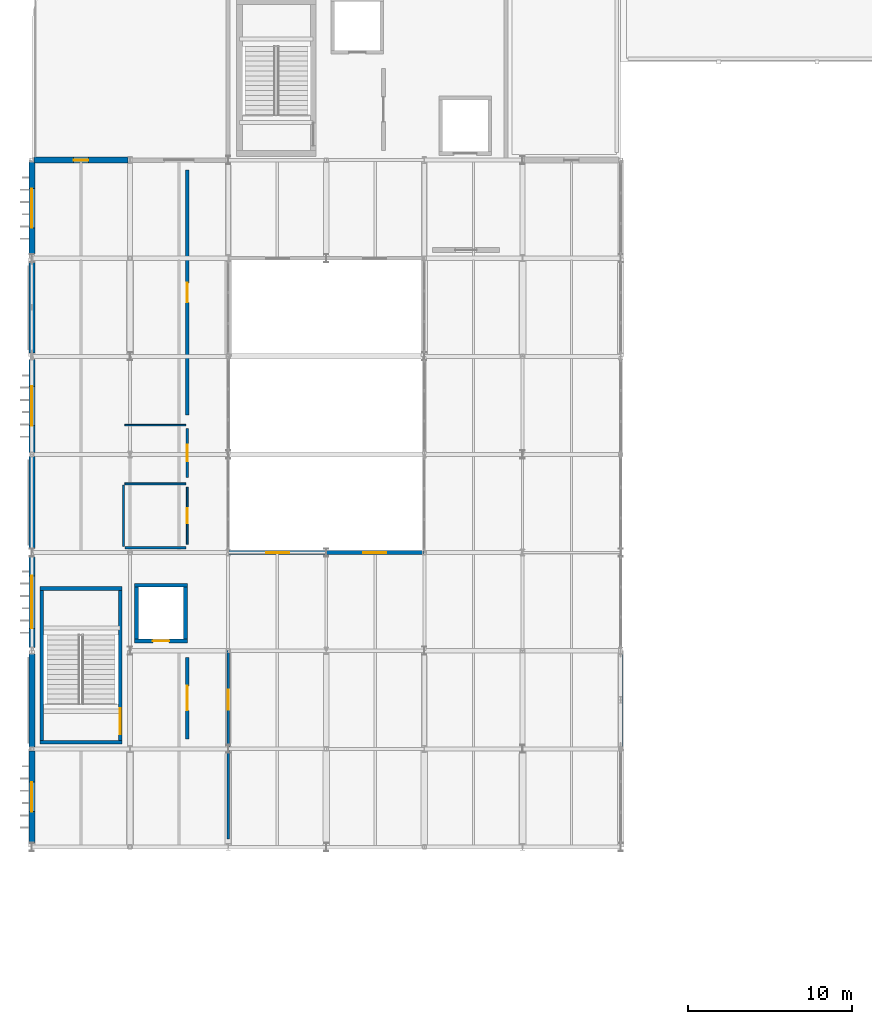
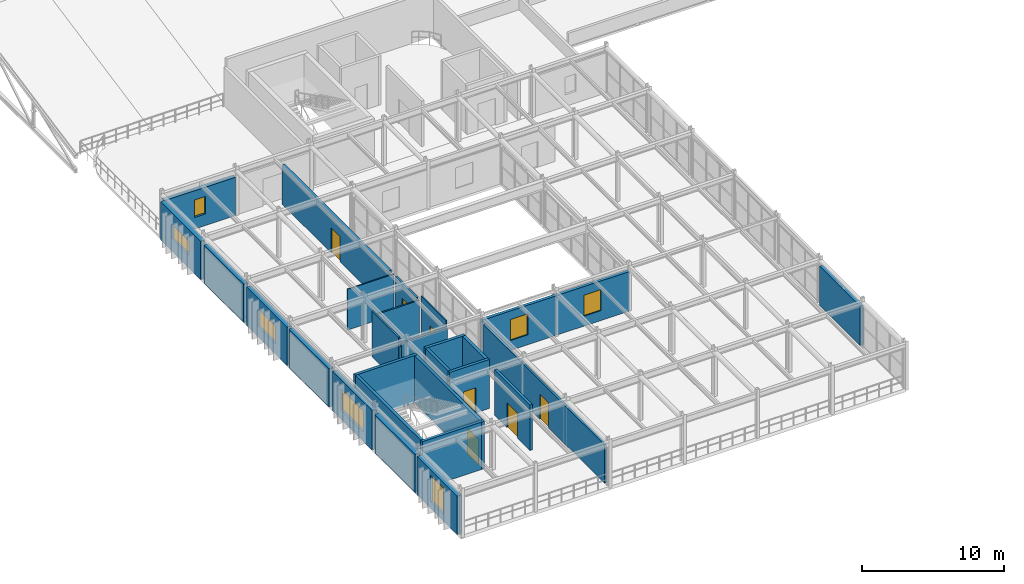
# One storey, part 59 of 83: 28 walls, 7 doors, 7 windows, 14 openings.
"""IFC4 building model written with IfcOpenShell, lengths in metres."""

from ifc_helpers import new_model, si_unit, direction, frame, frame_2d, origin, place, context, subcontext, project, spatial, rectangle, extrude, material, layer, layer_set, type_object, element, fill, save


model = new_model("IFC4")

# Units and contexts
model_context = context("Model", 3, precision=1e-05, world=origin(), true_north=direction((0.0, 1.0)))
body_context = subcontext(model_context, "Body", "Model", "MODEL_VIEW")
ifc_project = project(units=[si_unit("LENGTHUNIT", "METRE"), si_unit("AREAUNIT", "SQUARE_METRE"), si_unit("VOLUMEUNIT", "CUBIC_METRE"), si_unit("PLANEANGLEUNIT", "RADIAN"), si_unit("MASSUNIT", "GRAM", prefix="KILO")], contexts=[model_context])

# Site, building, storey
site_placement = place(None, origin())
site = spatial("IfcSite", under=ifc_project, at=site_placement, CompositionType="ELEMENT")
building_placement = place(site_placement, origin())
building = spatial("IfcBuilding", under=site, at=building_placement, Name="Varnakota Square Police Headquarters", CompositionType="ELEMENT")
storey_placement = place(building_placement, frame((0.0, 0.0, 18.0)))
storey = spatial("IfcBuildingStorey", under=building, at=storey_placement, Name="L04", CompositionType="ELEMENT", Elevation=18.0)

# Wall
ifc_material_1 = material(Name="Concrete M40", Category="concrete")
ifc_layer_1 = layer(ifc_material_1, 0.22998046875, Name="Concrete M40")
ifc_layer_set_1 = layer_set([ifc_layer_1], Name="Concrete M40")
wall_type_1 = type_object("IfcWallType", Name="WL-CORE-230", PredefinedType="SHEAR", material=ifc_layer_set_1)
wall_1_placement = place(storey_placement, frame((6.485107421875, 27.39990234375, 0.0), z_axis=(0.0, 0.0, 1.0), x_axis=(1.0, 0.0, 0.0)))
element("IfcWall", 1, at=wall_1_placement, inside=storey, type_object=wall_type_1, Name="Core C4 shear wall L04 S", PredefinedType="SHEAR", context=body_context, shape_type="SweptSolid", body=[
    extrude(rectangle(XDim=5.02978515625, YDim=0.22998046875, at=frame_2d((2.514892578125, 0.0))), origin(), (0.0, 0.0, 1.0), 4.06005859375),
])

# Wall, opening, door
wall_2_placement = place(storey_placement, frame((11.39990234375, 27.284912109375, 0.0), z_axis=(0.0, 0.0, 1.0), x_axis=(0.0, 1.0, 0.0)))
wall_2 = element("IfcWall", 2, at=wall_2_placement, inside=storey, type_object=wall_type_1, Name="Core C4 shear wall L04 E", PredefinedType="SHEAR", context=body_context, shape_type="SweptSolid", body=[
    extrude(rectangle(XDim=9.630126953125, YDim=0.22998046875, at=frame_2d((4.81494140625, 0.0))), origin(), (0.0, 0.0, 1.0), 4.06005859375),
])
opening_1_placement = place(wall_2_placement, frame((0.594970703125, 0.0, 0.0)))
opening_1 = element("IfcOpeningElement", 3, at=opening_1_placement, cuts=wall_2, Name="Opening SD069", PredefinedType="OPENING", context=body_context, shape_type="SweptSolid", body=[
    extrude(rectangle(XDim=1.60009765625, YDim=2.199951171875, at=frame_2d((0.800048828125, 1.10009765625))), frame((0.0, 0.125, 0.0), z_axis=(0.0, -1.0, 0.0), x_axis=(1.0, 0.0, 0.0)), (0.0, 0.0, 1.0), 0.25),
])
ifc_material_2 = material(Name="Powder-Coated Galvanised Steel", Category="steel")
door_type_1 = type_object("IfcDoorType", Name="DR-ST-160", OperationType="NOTDEFINED", PredefinedType="DOOR", material=ifc_material_2)
door_1_placement = place(opening_1_placement, origin())
door_1 = element("IfcDoor", 4, at=door_1_placement, inside=storey, type_object=door_type_1, Name="Protected stair door SD069", OperationType="DOUBLE_DOOR_SINGLE_SWING", OverallHeight=2.199951171875, OverallWidth=1.60009765625, PredefinedType="DOOR", context=body_context, shape_type="SweptSolid", body=[
    extrude(rectangle(XDim=1.60009765625, YDim=2.199951171875, at=frame_2d((0.800048828125, 1.10009765625))), frame((0.0, 0.02490234375, 0.0), z_axis=(0.0, -1.0, 0.0), x_axis=(1.0, 0.0, 0.0)), (0.0, 0.0, 1.0), 0.050048828125),
])
fill(opening_1, door_1)

# Walls
wall_3_placement = place(storey_placement, frame((11.514892578125, 36.800048828125, 0.0), z_axis=(0.0, 0.0, 1.0), x_axis=(-1.0, 0.0, 0.0)))
element("IfcWall", 5, at=wall_3_placement, inside=storey, type_object=wall_type_1, Name="Core C4 shear wall L04 N", PredefinedType="SHEAR", context=body_context, shape_type="SweptSolid", body=[
    extrude(rectangle(XDim=5.02978515625, YDim=0.22998046875, at=frame_2d((2.514892578125, 0.0))), origin(), (0.0, 0.0, 1.0), 4.06005859375),
])
wall_4_placement = place(storey_placement, frame((6.60009765625, 36.9150390625, 0.0), z_axis=(0.0, 0.0, 1.0), x_axis=(0.0, -1.0, 0.0)))
element("IfcWall", 6, at=wall_4_placement, inside=storey, type_object=wall_type_1, Name="Core C4 shear wall L04 W", PredefinedType="SHEAR", context=body_context, shape_type="SweptSolid", body=[
    extrude(rectangle(XDim=9.630126953125, YDim=0.22998046875, at=frame_2d((4.81494140625, 0.0))), origin(), (0.0, 0.0, 1.0), 4.06005859375),
])

# Wall, opening, door
wall_5_placement = place(storey_placement, frame((12.284912109375, 33.60009765625, 0.0), z_axis=(0.0, 0.0, 1.0), x_axis=(1.0, 0.0, 0.0)))
wall_5 = element("IfcWall", 7, at=wall_5_placement, inside=storey, type_object=wall_type_1, Name="Lift shaft wall LF-P2 L04 S", PredefinedType="SHEAR", context=body_context, shape_type="SweptSolid", body=[
    extrude(rectangle(XDim=3.22998046875, YDim=0.22998046875, at=frame_2d((1.614990234375, 0.0))), origin(), (0.0, 0.0, 1.0), 4.199951171875),
])
opening_2_placement = place(wall_5_placement, frame((1.114990234375, 0.0, 0.0)))
opening_2 = element("IfcOpeningElement", 8, at=opening_2_placement, cuts=wall_5, Name="Opening LD029", PredefinedType="OPENING", context=body_context, shape_type="SweptSolid", body=[
    extrude(rectangle(XDim=1.0, YDim=2.14990234375, at=frame_2d((0.5, 1.074951171875))), frame((0.0, 0.125, 0.0), z_axis=(0.0, -1.0, 0.0), x_axis=(1.0, 0.0, 0.0)), (0.0, 0.0, 1.0), 0.25),
])
ifc_material_3 = material(Name="Brushed Grade 316 Stainless Steel", Category="steel")
door_type_2 = type_object("IfcDoorType", Name="DR-LD-PAX", OperationType="NOTDEFINED", PredefinedType="DOOR", material=ifc_material_3)
door_2_placement = place(opening_2_placement, origin())
door_2 = element("IfcDoor", 9, at=door_2_placement, inside=storey, type_object=door_type_2, Name="Lift sliding landing door LD029", OperationType="SLIDING_TO_LEFT", OverallHeight=2.14990234375, OverallWidth=1.0, PredefinedType="DOOR", context=body_context, shape_type="SweptSolid", body=[
    extrude(rectangle(XDim=1.0, YDim=2.14990234375, at=frame_2d((0.5, 1.074951171875))), frame((0.0, 0.02490234375, 0.0), z_axis=(0.0, -1.0, 0.0), x_axis=(1.0, 0.0, 0.0)), (0.0, 0.0, 1.0), 0.050048828125),
])
fill(opening_2, door_2)

# Walls
wall_6_placement = place(storey_placement, frame((15.39990234375, 33.485107421875, 0.0), z_axis=(0.0, 0.0, 1.0), x_axis=(0.0, 1.0, 0.0)))
element("IfcWall", 10, at=wall_6_placement, inside=storey, type_object=wall_type_1, Name="Lift shaft wall LF-P2 L04 E", PredefinedType="SHEAR", context=body_context, shape_type="SweptSolid", body=[
    extrude(rectangle(XDim=3.6298828125, YDim=0.22998046875, at=frame_2d((1.81494140625, 0.0))), origin(), (0.0, 0.0, 1.0), 4.199951171875),
])
wall_7_placement = place(storey_placement, frame((15.514892578125, 37.0, 0.0), z_axis=(0.0, 0.0, 1.0), x_axis=(-1.0, 0.0, 0.0)))
element("IfcWall", 11, at=wall_7_placement, inside=storey, type_object=wall_type_1, Name="Lift shaft wall LF-P2 L04 N", PredefinedType="SHEAR", context=body_context, shape_type="SweptSolid", body=[
    extrude(rectangle(XDim=3.22998046875, YDim=0.22998046875, at=frame_2d((1.614990234375, 0.0))), origin(), (0.0, 0.0, 1.0), 4.199951171875),
])
wall_8_placement = place(storey_placement, frame((12.39990234375, 37.114990234375, 0.0), z_axis=(0.0, 0.0, 1.0), x_axis=(0.0, -1.0, 0.0)))
element("IfcWall", 12, at=wall_8_placement, inside=storey, type_object=wall_type_1, Name="Lift shaft wall LF-P2 L04 W", PredefinedType="SHEAR", context=body_context, shape_type="SweptSolid", body=[
    extrude(rectangle(XDim=3.6298828125, YDim=0.22998046875, at=frame_2d((1.81494140625, 0.0))), origin(), (0.0, 0.0, 1.0), 4.199951171875),
])

# Wall, opening, window
ifc_layer_2 = layer(ifc_material_1, 0.239990234375, Name="Concrete M40")
ifc_layer_set_2 = layer_set([ifc_layer_2], Name="Concrete M40")
wall_type_2 = type_object("IfcWallType", Name="WL-EXT-240", PredefinedType="SOLIDWALL", material=ifc_layer_set_2)
wall_9_placement = place(storey_placement, frame((18.050048828125, 39.0, 0.0), z_axis=(0.0, 0.0, 1.0), x_axis=(1.0, 0.0, 0.0)))
wall_9 = element("IfcWall", 13, at=wall_9_placement, inside=storey, type_object=wall_type_2, Name="Court exterior wall EW-L04-0451", PredefinedType="SOLIDWALL", context=body_context, shape_type="SweptSolid", body=[
    extrude(rectangle(XDim=5.949951171875, YDim=0.239990234375, at=frame_2d((2.97509765625, 0.0))), origin(), (0.0, 0.0, 1.0), 3.389892578125),
])
opening_3_placement = place(wall_9_placement, frame((2.27490234375, 0.0, 0.85009765625)))
opening_3 = element("IfcOpeningElement", 14, at=opening_3_placement, cuts=wall_9, Name="Opening W16", PredefinedType="OPENING", context=body_context, shape_type="SweptSolid", body=[
    extrude(rectangle(XDim=1.39990234375, YDim=1.800048828125, at=frame_2d((0.699951171875, 0.89990234375))), frame((0.0, 0.1298828125, 0.0), z_axis=(0.0, -1.0, 0.0), x_axis=(1.0, 0.0, 0.0)), (0.0, 0.0, 1.0), 0.260009765625),
])
ifc_material_4 = material(Name="Thermally Broken Aluminium Double-Glazed Window", Category="aluminium")
window_type_1 = type_object("IfcWindowType", Name="WIN-16", PartitioningType="SINGLE_PANEL", PredefinedType="WINDOW", material=ifc_material_4)
window_1_placement = place(opening_3_placement, origin())
window_1 = element("IfcWindow", 15, at=window_1_placement, inside=storey, type_object=window_type_1, Name="Window WN-L04-0102", OverallHeight=1.800048828125, OverallWidth=1.39990234375, PartitioningType="SINGLE_PANEL", PredefinedType="WINDOW", context=body_context, shape_type="SweptSolid", body=[
    extrude(rectangle(XDim=1.39990234375, YDim=1.800048828125, at=frame_2d((0.699951171875, 0.89990234375))), frame((0.0, 0.030029296875, 0.0), z_axis=(0.0, -1.0, 0.0), x_axis=(1.0, 0.0, 0.0)), (0.0, 0.0, 1.0), 0.06005859375),
])
fill(opening_3, window_1)

wall_10_placement = place(storey_placement, frame((24.0, 39.0, 0.0), z_axis=(0.0, 0.0, 1.0), x_axis=(1.0, 0.0, 0.0)))
wall_10 = element("IfcWall", 16, at=wall_10_placement, inside=storey, type_object=wall_type_2, Name="Court exterior wall EW-L04-0453", PredefinedType="SOLIDWALL", context=body_context, shape_type="SweptSolid", body=[
    extrude(rectangle(XDim=5.949951171875, YDim=0.239990234375, at=frame_2d((2.97509765625, 0.0))), origin(), (0.0, 0.0, 1.0), 3.389892578125),
])
opening_4_placement = place(wall_10_placement, frame((2.27490234375, 0.0, 0.85009765625)))
opening_4 = element("IfcOpeningElement", 17, at=opening_4_placement, cuts=wall_10, Name="Opening W16", PredefinedType="OPENING", context=body_context, shape_type="SweptSolid", body=[
    extrude(rectangle(XDim=1.39990234375, YDim=1.800048828125, at=frame_2d((0.699951171875, 0.89990234375))), frame((0.0, 0.1298828125, 0.0), z_axis=(0.0, -1.0, 0.0), x_axis=(1.0, 0.0, 0.0)), (0.0, 0.0, 1.0), 0.260009765625),
])
window_2_placement = place(opening_4_placement, origin())
window_2 = element("IfcWindow", 18, at=window_2_placement, inside=storey, type_object=window_type_1, Name="Window WN-L04-0104", OverallHeight=1.800048828125, OverallWidth=1.39990234375, PartitioningType="SINGLE_PANEL", PredefinedType="WINDOW", context=body_context, shape_type="SweptSolid", body=[
    extrude(rectangle(XDim=1.39990234375, YDim=1.800048828125, at=frame_2d((0.699951171875, 0.89990234375))), frame((0.0, 0.030029296875, 0.0), z_axis=(0.0, -1.0, 0.0), x_axis=(1.0, 0.0, 0.0)), (0.0, 0.0, 1.0), 0.06005859375),
])
fill(opening_4, window_2)

# Wall
ifc_layer_3 = layer(ifc_material_1, 0.280029296875, Name="Concrete M40")
ifc_layer_set_3 = layer_set([ifc_layer_3], Name="Concrete M40")
wall_type_3 = type_object("IfcWallType", Name="WL-EXT-280", PredefinedType="SOLIDWALL", material=ifc_layer_set_3)
wall_11_placement = place(storey_placement, frame((42.0, 27.12890625, 0.0), z_axis=(0.0, 0.0, 1.0), x_axis=(0.0, 1.0, 0.0)))
element("IfcWall", 19, at=wall_11_placement, inside=storey, type_object=wall_type_3, Name="Exterior wall EW-L04-0442", PredefinedType="SOLIDWALL", context=body_context, shape_type="SweptSolid", body=[
    extrude(rectangle(XDim=5.6669921875, YDim=0.280029296875, at=frame_2d((2.83349609375, 0.0))), origin(), (0.0, 0.0, 1.0), 3.389892578125),
])

# Wall, opening, window
ifc_layer_4 = layer(ifc_material_1, 0.360107421875, Name="Concrete M40")
ifc_layer_set_4 = layer_set([ifc_layer_4], Name="Concrete M40")
wall_type_4 = type_object("IfcWallType", Name="WL-EXT-360", PredefinedType="SOLIDWALL", material=ifc_layer_set_4)
wall_12_placement = place(storey_placement, frame((6.0, 21.25390625, 0.0), z_axis=(0.0, 0.0, 1.0), x_axis=(0.0, 1.0, 0.0)))
wall_12 = element("IfcWall", 20, at=wall_12_placement, inside=storey, type_object=wall_type_4, Name="Exterior wall EW-L04-0440", PredefinedType="SOLIDWALL", context=body_context, shape_type="SweptSolid", body=[
    extrude(rectangle(XDim=5.6171875, YDim=0.360107421875, at=frame_2d((2.80859375, 0.0))), origin(), (0.0, 0.0, 1.0), 3.2900390625),
])
opening_5_placement = place(wall_12_placement, frame((1.908447265625, 0.0, 0.60009765625)))
opening_5 = element("IfcOpeningElement", 21, at=opening_5_placement, cuts=wall_12, Name="Opening W11", PredefinedType="OPENING", context=body_context, shape_type="SweptSolid", body=[
    extrude(rectangle(XDim=1.800048828125, YDim=2.199951171875, at=frame_2d((0.89990234375, 1.10009765625))), frame((0.0, 0.18994140625, 0.0), z_axis=(0.0, -1.0, 0.0), x_axis=(1.0, 0.0, 0.0)), (0.0, 0.0, 1.0), 0.380126953125),
])
window_type_2 = type_object("IfcWindowType", Name="WIN-11", PartitioningType="SINGLE_PANEL", PredefinedType="WINDOW", material=ifc_material_4)
window_3_placement = place(opening_5_placement, origin())
window_3 = element("IfcWindow", 22, at=window_3_placement, inside=storey, type_object=window_type_2, Name="Window WN-L04-0096", OverallHeight=2.199951171875, OverallWidth=1.800048828125, PartitioningType="SINGLE_PANEL", PredefinedType="WINDOW", context=body_context, shape_type="SweptSolid", body=[
    extrude(rectangle(XDim=1.800048828125, YDim=2.199951171875, at=frame_2d((0.89990234375, 1.10009765625))), frame((0.0, 0.030029296875, 0.0), z_axis=(0.0, -1.0, 0.0), x_axis=(1.0, 0.0, 0.0)), (0.0, 0.0, 1.0), 0.06005859375),
])
fill(opening_5, window_3)

# Wall
wall_13_placement = place(storey_placement, frame((6.0, 27.12890625, 0.0), z_axis=(0.0, 0.0, 1.0), x_axis=(0.0, 1.0, 0.0)))
element("IfcWall", 23, at=wall_13_placement, inside=storey, type_object=wall_type_4, Name="Exterior wall EW-L04-0441", PredefinedType="SOLIDWALL", context=body_context, shape_type="SweptSolid", body=[
    extrude(rectangle(XDim=5.6669921875, YDim=0.360107421875, at=frame_2d((2.83349609375, 0.0))), origin(), (0.0, 0.0, 1.0), 3.2900390625),
])

# Wall, opening, window
wall_14_placement = place(storey_placement, frame((6.0, 33.2041015625, 0.0), z_axis=(0.0, 0.0, 1.0), x_axis=(0.0, 1.0, 0.0)))
wall_14 = element("IfcWall", 24, at=wall_14_placement, inside=storey, type_object=wall_type_4, Name="Exterior wall EW-L04-0443", PredefinedType="SOLIDWALL", context=body_context, shape_type="SweptSolid", body=[
    extrude(rectangle(XDim=5.5419921875, YDim=0.360107421875, at=frame_2d((2.77099609375, 0.0))), origin(), (0.0, 0.0, 1.0), 3.389892578125),
])
opening_6_placement = place(wall_14_placement, frame((1.1708984375, 0.0, 0.800048828125)))
opening_6 = element("IfcOpeningElement", 25, at=opening_6_placement, cuts=wall_14, Name="Opening W15", PredefinedType="OPENING", context=body_context, shape_type="SweptSolid", body=[
    extrude(rectangle(XDim=3.199951171875, YDim=1.800048828125, at=frame_2d((1.60009765625, 0.89990234375))), frame((0.0, 0.18994140625, 0.0), z_axis=(0.0, -1.0, 0.0), x_axis=(1.0, 0.0, 0.0)), (0.0, 0.0, 1.0), 0.380126953125),
])
window_type_3 = type_object("IfcWindowType", Name="WIN-15", PartitioningType="SINGLE_PANEL", PredefinedType="WINDOW", material=ifc_material_4)
window_4_placement = place(opening_6_placement, origin())
window_4 = element("IfcWindow", 26, at=window_4_placement, inside=storey, type_object=window_type_3, Name="Window WN-L04-0097", OverallHeight=1.800048828125, OverallWidth=3.199951171875, PartitioningType="SINGLE_PANEL", PredefinedType="WINDOW", context=body_context, shape_type="SweptSolid", body=[
    extrude(rectangle(XDim=3.199951171875, YDim=1.800048828125, at=frame_2d((1.60009765625, 0.89990234375))), frame((0.0, 0.030029296875, 0.0), z_axis=(0.0, -1.0, 0.0), x_axis=(1.0, 0.0, 0.0)), (0.0, 0.0, 1.0), 0.06005859375),
])
fill(opening_6, window_4)

# Wall
wall_15_placement = place(storey_placement, frame((6.0, 39.25390625, 0.0), z_axis=(0.0, 0.0, 1.0), x_axis=(0.0, 1.0, 0.0)))
element("IfcWall", 27, at=wall_15_placement, inside=storey, type_object=wall_type_4, Name="Exterior wall EW-L04-0444", PredefinedType="SOLIDWALL", context=body_context, shape_type="SweptSolid", body=[
    extrude(rectangle(XDim=5.6171875, YDim=0.360107421875, at=frame_2d((2.80859375, 0.0))), origin(), (0.0, 0.0, 1.0), 3.2900390625),
])

# Wall, opening, window
wall_16_placement = place(storey_placement, frame((6.0, 45.12890625, 0.0), z_axis=(0.0, 0.0, 1.0), x_axis=(0.0, 1.0, 0.0)))
wall_16 = element("IfcWall", 28, at=wall_16_placement, inside=storey, type_object=wall_type_4, Name="Exterior wall EW-L04-0445", PredefinedType="SOLIDWALL", context=body_context, shape_type="SweptSolid", body=[
    extrude(rectangle(XDim=5.6669921875, YDim=0.360107421875, at=frame_2d((2.83349609375, 0.0))), origin(), (0.0, 0.0, 1.0), 3.2900390625),
])
opening_7_placement = place(wall_16_placement, frame((1.633544921875, 0.0, 0.89990234375)))
opening_7 = element("IfcOpeningElement", 29, at=opening_7_placement, cuts=wall_16, Name="Opening W02", PredefinedType="OPENING", context=body_context, shape_type="SweptSolid", body=[
    extrude(rectangle(XDim=2.39990234375, YDim=1.5, at=frame_2d((1.199951171875, 0.75))), frame((0.0, 0.18994140625, 0.0), z_axis=(0.0, -1.0, 0.0), x_axis=(1.0, 0.0, 0.0)), (0.0, 0.0, 1.0), 0.380126953125),
])
window_type_4 = type_object("IfcWindowType", Name="WIN-02", PartitioningType="SINGLE_PANEL", PredefinedType="WINDOW", material=ifc_material_4)
window_5_placement = place(opening_7_placement, origin())
window_5 = element("IfcWindow", 30, at=window_5_placement, inside=storey, type_object=window_type_4, Name="Window WN-L04-0098", OverallHeight=1.5, OverallWidth=2.39990234375, PartitioningType="SINGLE_PANEL", PredefinedType="WINDOW", context=body_context, shape_type="SweptSolid", body=[
    extrude(rectangle(XDim=2.39990234375, YDim=1.5, at=frame_2d((1.199951171875, 0.75))), frame((0.0, 0.030029296875, 0.0), z_axis=(0.0, -1.0, 0.0), x_axis=(1.0, 0.0, 0.0)), (0.0, 0.0, 1.0), 0.06005859375),
])
fill(opening_7, window_5)

# Wall
wall_17_placement = place(storey_placement, frame((6.0, 51.2041015625, 0.0), z_axis=(0.0, 0.0, 1.0), x_axis=(0.0, 1.0, 0.0)))
element("IfcWall", 31, at=wall_17_placement, inside=storey, type_object=wall_type_4, Name="Exterior wall EW-L04-0446", PredefinedType="SOLIDWALL", context=body_context, shape_type="SweptSolid", body=[
    extrude(rectangle(XDim=5.5419921875, YDim=0.360107421875, at=frame_2d((2.77099609375, 0.0))), origin(), (0.0, 0.0, 1.0), 3.2900390625),
])

# Wall, opening, window
wall_18_placement = place(storey_placement, frame((6.0, 57.25390625, 0.0), z_axis=(0.0, 0.0, 1.0), x_axis=(0.0, 1.0, 0.0)))
wall_18 = element("IfcWall", 32, at=wall_18_placement, inside=storey, type_object=wall_type_4, Name="Exterior wall EW-L04-0447", PredefinedType="SOLIDWALL", context=body_context, shape_type="SweptSolid", body=[
    extrude(rectangle(XDim=5.6171875, YDim=0.360107421875, at=frame_2d((2.80859375, 0.0))), origin(), (0.0, 0.0, 1.0), 3.2900390625),
])
opening_8_placement = place(wall_18_placement, frame((1.6083984375, 0.0, 1.10009765625)))
opening_8 = element("IfcOpeningElement", 33, at=opening_8_placement, cuts=wall_18, Name="Opening W06", PredefinedType="OPENING", context=body_context, shape_type="SweptSolid", body=[
    extrude(rectangle(XDim=2.39990234375, YDim=1.199951171875, at=frame_2d((1.199951171875, 0.60009765625))), frame((0.0, 0.18994140625, 0.0), z_axis=(0.0, -1.0, 0.0), x_axis=(1.0, 0.0, 0.0)), (0.0, 0.0, 1.0), 0.380126953125),
])
window_type_5 = type_object("IfcWindowType", Name="WIN-06", PartitioningType="SINGLE_PANEL", PredefinedType="WINDOW", material=ifc_material_4)
window_6_placement = place(opening_8_placement, origin())
window_6 = element("IfcWindow", 34, at=window_6_placement, inside=storey, type_object=window_type_5, Name="Window WN-L04-0099", OverallHeight=1.199951171875, OverallWidth=2.39990234375, PartitioningType="SINGLE_PANEL", PredefinedType="WINDOW", context=body_context, shape_type="SweptSolid", body=[
    extrude(rectangle(XDim=2.39990234375, YDim=1.199951171875, at=frame_2d((1.199951171875, 0.60009765625))), frame((0.0, 0.030029296875, 0.0), z_axis=(0.0, -1.0, 0.0), x_axis=(1.0, 0.0, 0.0)), (0.0, 0.0, 1.0), 0.06005859375),
])
fill(opening_8, window_6)

wall_19_placement = place(storey_placement, frame((6.12890625, 63.0, 0.0), z_axis=(0.0, 0.0, 1.0), x_axis=(1.0, 0.0, 0.0)))
wall_19 = element("IfcWall", 35, at=wall_19_placement, inside=storey, type_object=wall_type_4, Name="Exterior wall EW-L04-0448", PredefinedType="SOLIDWALL", context=body_context, shape_type="SweptSolid", body=[
    extrude(rectangle(XDim=5.7421875, YDim=0.360107421875, at=frame_2d((2.87109375, 0.0))), origin(), (0.0, 0.0, 1.0), 3.2900390625),
])
opening_9_placement = place(wall_19_placement, frame((2.4208984375, 0.0, 1.0)))
opening_9 = element("IfcOpeningElement", 36, at=opening_9_placement, cuts=wall_19, Name="Opening W09", PredefinedType="OPENING", context=body_context, shape_type="SweptSolid", body=[
    extrude(rectangle(XDim=0.89990234375, YDim=1.5, at=frame_2d((0.449951171875, 0.75))), frame((0.0, 0.18994140625, 0.0), z_axis=(0.0, -1.0, 0.0), x_axis=(1.0, 0.0, 0.0)), (0.0, 0.0, 1.0), 0.380126953125),
])
window_type_6 = type_object("IfcWindowType", Name="WIN-09", PartitioningType="SINGLE_PANEL", PredefinedType="WINDOW", material=ifc_material_4)
window_7_placement = place(opening_9_placement, origin())
window_7 = element("IfcWindow", 37, at=window_7_placement, inside=storey, type_object=window_type_6, Name="Window WN-L04-0100", OverallHeight=1.5, OverallWidth=0.89990234375, PartitioningType="SINGLE_PANEL", PredefinedType="WINDOW", context=body_context, shape_type="SweptSolid", body=[
    extrude(rectangle(XDim=0.89990234375, YDim=1.5, at=frame_2d((0.449951171875, 0.75))), frame((0.0, 0.030029296875, 0.0), z_axis=(0.0, -1.0, 0.0), x_axis=(1.0, 0.0, 0.0)), (0.0, 0.0, 1.0), 0.06005859375),
])
fill(opening_9, window_7)

# Wall
ifc_material_5 = material(Name="Lightweight Demountable Office Partition", Category="gypsum")
ifc_layer_5 = layer(ifc_material_5, 0.094970703125, Name="Lightweight Demountable Office Partition")
ifc_layer_set_5 = layer_set([ifc_layer_5], Name="Lightweight Demountable Office Partition")
wall_type_5 = type_object("IfcWallType", Name="WL-PRT-095", PredefinedType="PARTITIONING", material=ifc_layer_set_5)
wall_20_placement = place(storey_placement, frame((11.679931640625, 46.800048828125, 0.0), z_axis=(0.0, 0.0, 1.0), x_axis=(1.0, 0.0, 0.0)))
element("IfcWall", 38, at=wall_20_placement, inside=storey, type_object=wall_type_5, Name="Interior dividing partition PW-L04-0218 (L04 Accessible WC West)", PredefinedType="PARTITIONING", context=body_context, shape_type="SweptSolid", body=[
    extrude(rectangle(XDim=3.739990234375, YDim=0.094970703125, at=frame_2d((1.8701171875, 0.0))), origin(), (0.0, 0.0, 1.0), 3.489990234375),
])

# Wall, opening, door
ifc_material_6 = material(Name="Glazed Clean-Lab Modular Partition", Category="gypsum")
ifc_layer_6 = layer(ifc_material_6, 0.10498046875, Name="Glazed Clean-Lab Modular Partition")
ifc_layer_set_6 = layer_set([ifc_layer_6], Name="Glazed Clean-Lab Modular Partition")
wall_type_6 = type_object("IfcWallType", Name="WL-PRT-105", PredefinedType="PARTITIONING", material=ifc_layer_set_6)
wall_21_placement = place(storey_placement, frame((15.5, 43.0, 0.0), z_axis=(0.0, 0.0, 1.0), x_axis=(0.0, -1.0, 0.0)))
wall_21 = element("IfcWall", 39, at=wall_21_placement, inside=storey, type_object=wall_type_6, Name="Interior partition PW-L04-0198 (L04 Forensic Staff Washroom WC)", PredefinedType="PARTITIONING", context=body_context, shape_type="SweptSolid", body=[
    extrude(rectangle(XDim=3.5, YDim=0.10498046875, at=frame_2d((1.75, 0.0))), origin(), (0.0, 0.0, 1.0), 3.889892578125),
])
opening_10_placement = place(wall_21_placement, frame((1.300048828125, 0.0, 0.0)))
opening_10 = element("IfcOpeningElement", 40, at=opening_10_placement, cuts=wall_21, Name="Opening D263", PredefinedType="OPENING", context=body_context, shape_type="SweptSolid", body=[
    extrude(rectangle(XDim=0.89990234375, YDim=2.10009765625, at=frame_2d((0.449951171875, 1.050048828125))), frame((0.0, 0.0625, 0.0), z_axis=(0.0, -1.0, 0.0), x_axis=(1.0, 0.0, 0.0)), (0.0, 0.0, 1.0), 0.125),
])
ifc_material_7 = material(Name="High-Pressure Moisture-Resistant Compact Laminate")
door_type_3 = type_object("IfcDoorType", Name="DR-WC-090", OperationType="NOTDEFINED", PredefinedType="DOOR", material=ifc_material_7)
door_3_placement = place(opening_10_placement, origin())
door_3 = element("IfcDoor", 41, at=door_3_placement, inside=storey, type_object=door_type_3, Name="Room door D263 (L04 Forensic Staff Washroom WC)", OperationType="SINGLE_SWING_LEFT", OverallHeight=2.10009765625, OverallWidth=0.89990234375, PredefinedType="DOOR", context=body_context, shape_type="SweptSolid", body=[
    extrude(rectangle(XDim=0.89990234375, YDim=2.10009765625, at=frame_2d((0.449951171875, 1.050048828125))), frame((0.0, 0.02490234375, 0.0), z_axis=(0.0, -1.0, 0.0), x_axis=(1.0, 0.0, 0.0)), (0.0, 0.0, 1.0), 0.050048828125),
])
fill(opening_10, door_3)

# Walls
ifc_material_8 = material(Name="Moisture-Resistant Tile-Backed Partition", Category="gypsum")
ifc_layer_7 = layer(ifc_material_8, 0.114990234375, Name="Moisture-Resistant Tile-Backed Partition")
ifc_layer_set_7 = layer_set([ifc_layer_7], Name="Moisture-Resistant Tile-Backed Partition")
wall_type_7 = type_object("IfcWallType", Name="WL-PRT-115", PredefinedType="PARTITIONING", material=ifc_layer_set_7)
wall_22_placement = place(storey_placement, frame((11.679931640625, 43.199951171875, 0.0), z_axis=(0.0, 0.0, 1.0), x_axis=(1.0, 0.0, 0.0)))
element("IfcWall", 42, at=wall_22_placement, inside=storey, type_object=wall_type_7, Name="Interior dividing partition PW-L04-0217 (L04 Forensic Staff Washroom WC)", PredefinedType="PARTITIONING", context=body_context, shape_type="SweptSolid", body=[
    extrude(rectangle(XDim=3.739990234375, YDim=0.114990234375, at=frame_2d((1.8701171875, 0.0))), origin(), (0.0, 0.0, 1.0), 3.43994140625),
])
ifc_material_9 = material(Name="Acoustic Insulated Metal-Stud Partition", Category="gypsum")
ifc_layer_8 = layer(ifc_material_9, 0.125, Name="Acoustic Insulated Metal-Stud Partition")
ifc_layer_set_8 = layer_set([ifc_layer_8], Name="Acoustic Insulated Metal-Stud Partition")
wall_type_8 = type_object("IfcWallType", Name="WL-PRT-125", PredefinedType="PARTITIONING", material=ifc_layer_set_8)
wall_23_placement = place(storey_placement, frame((11.60009765625, 39.3798828125, 0.0), z_axis=(0.0, 0.0, 1.0), x_axis=(0.0, 1.0, 0.0)))
element("IfcWall", 43, at=wall_23_placement, inside=storey, type_object=wall_type_8, Name="Interior dividing partition PW-L04-0216 (L04 Forensic Staff Washroom WC)", PredefinedType="PARTITIONING", context=body_context, shape_type="SweptSolid", body=[
    extrude(rectangle(XDim=3.740234375, YDim=0.125, at=frame_2d((1.8701171875, 0.0))), origin(), (0.0, 0.0, 1.0), 3.889892578125),
])

# Wall, opening, door
ifc_layer_9 = layer(ifc_material_9, 0.139892578125, Name="Acoustic Insulated Metal-Stud Partition")
ifc_layer_set_9 = layer_set([ifc_layer_9], Name="Acoustic Insulated Metal-Stud Partition")
wall_type_9 = type_object("IfcWallType", Name="WL-PRT-140", PredefinedType="PARTITIONING", material=ifc_layer_set_9)
wall_24_placement = place(storey_placement, frame((15.5, 46.60009765625, 0.0), z_axis=(0.0, 0.0, 1.0), x_axis=(0.0, -1.0, 0.0)))
wall_24 = element("IfcWall", 44, at=wall_24_placement, inside=storey, type_object=wall_type_9, Name="Interior partition PW-L04-0199 (L04 Accessible WC West)", PredefinedType="PARTITIONING", context=body_context, shape_type="SweptSolid", body=[
    extrude(rectangle(XDim=3.0, YDim=0.139892578125, at=frame_2d((1.5, 0.0))), origin(), (0.0, 0.0, 1.0), 3.389892578125),
])
opening_11_placement = place(wall_24_placement, frame((1.0, 0.0, 0.0)))
opening_11 = element("IfcOpeningElement", 45, at=opening_11_placement, cuts=wall_24, Name="Opening D264", PredefinedType="OPENING", context=body_context, shape_type="SweptSolid", body=[
    extrude(rectangle(XDim=1.0, YDim=2.10009765625, at=frame_2d((0.5, 1.050048828125))), frame((0.0, 0.079833984375, 0.0), z_axis=(0.0, -1.0, 0.0), x_axis=(1.0, 0.0, 0.0)), (0.0, 0.0, 1.0), 0.159912109375),
])
ifc_material_10 = material(Name="Antimicrobial High-Pressure Compact Laminate")
door_type_4 = type_object("IfcDoorType", Name="DR-WCA-100", OperationType="NOTDEFINED", PredefinedType="DOOR", material=ifc_material_10)
door_4_placement = place(opening_11_placement, origin())
door_4 = element("IfcDoor", 46, at=door_4_placement, inside=storey, type_object=door_type_4, Name="Room door D264 (L04 Accessible WC West)", OperationType="SINGLE_SWING_RIGHT", OverallHeight=2.10009765625, OverallWidth=1.0, PredefinedType="DOOR", context=body_context, shape_type="SweptSolid", body=[
    extrude(rectangle(XDim=1.0, YDim=2.10009765625, at=frame_2d((0.5, 1.050048828125))), frame((0.0, 0.02490234375, 0.0), z_axis=(0.0, -1.0, 0.0), x_axis=(1.0, 0.0, 0.0)), (0.0, 0.0, 1.0), 0.050048828125),
])
fill(opening_11, door_4)

# Wall
wall_25_placement = place(storey_placement, frame((15.419921875, 39.300048828125, 0.0), z_axis=(0.0, 0.0, 1.0), x_axis=(-1.0, 0.0, 0.0)))
element("IfcWall", 47, at=wall_25_placement, inside=storey, type_object=wall_type_9, Name="Interior dividing partition PW-L04-0215 (L04 Forensic Staff Washroom WC)", PredefinedType="PARTITIONING", context=body_context, shape_type="SweptSolid", body=[
    extrude(rectangle(XDim=3.739990234375, YDim=0.139892578125, at=frame_2d((1.8701171875, 0.0))), origin(), (0.0, 0.0, 1.0), 3.43994140625),
])

# Wall, opening, door
ifc_material_11 = material(Name="Fire-Rated Double Gypsum Stud Partition", Category="gypsum")
ifc_layer_10 = layer(ifc_material_11, 0.1650390625, Name="Fire-Rated Double Gypsum Stud Partition")
ifc_layer_set_10 = layer_set([ifc_layer_10], Name="Fire-Rated Double Gypsum Stud Partition")
wall_type_10 = type_object("IfcWallType", Name="WL-PRT-165F", PredefinedType="PARTITIONING", material=ifc_layer_set_10)
wall_26_placement = place(storey_placement, frame((18.0, 21.5, 0.0), z_axis=(0.0, 0.0, 1.0), x_axis=(0.0, 1.0, 0.0)))
wall_26 = element("IfcWall", 48, at=wall_26_placement, inside=storey, type_object=wall_type_10, Name="Interior partition PW-L04-0200 (Toxicology Forensic Laboratory)", PredefinedType="PARTITIONING", context=body_context, shape_type="SweptSolid", body=[
    extrude(rectangle(XDim=17.0, YDim=0.1650390625, at=frame_2d((8.5, 0.0))), origin(), (0.0, 0.0, 1.0), 3.2900390625),
])
opening_12_placement = place(wall_26_placement, frame((7.89990234375, 0.0, 0.0)))
opening_12 = element("IfcOpeningElement", 49, at=opening_12_placement, cuts=wall_26, Name="Opening D265", PredefinedType="OPENING", context=body_context, shape_type="SweptSolid", body=[
    extrude(rectangle(XDim=1.199951171875, YDim=2.14990234375, at=frame_2d((0.60009765625, 1.074951171875))), frame((0.0, 0.092529296875, 0.0), z_axis=(0.0, -1.0, 0.0), x_axis=(1.0, 0.0, 0.0)), (0.0, 0.0, 1.0), 0.18505859375),
])
ifc_material_12 = material(Name="Phenolic-Faced Fire-Rated Composite")
door_type_5 = type_object("IfcDoorType", Name="DR-LAB-120", OperationType="NOTDEFINED", PredefinedType="DOOR", material=ifc_material_12)
door_5_placement = place(opening_12_placement, origin())
door_5 = element("IfcDoor", 50, at=door_5_placement, inside=storey, type_object=door_type_5, Name="Room door D265 (Toxicology Forensic Laboratory)", OperationType="SINGLE_SWING_LEFT", OverallHeight=2.14990234375, OverallWidth=1.199951171875, PredefinedType="DOOR", context=body_context, shape_type="SweptSolid", body=[
    extrude(rectangle(XDim=1.199951171875, YDim=2.14990234375, at=frame_2d((0.60009765625, 1.074951171875))), frame((0.0, 0.02490234375, 0.0), z_axis=(0.0, -1.0, 0.0), x_axis=(1.0, 0.0, 0.0)), (0.0, 0.0, 1.0), 0.050048828125),
])
fill(opening_12, door_5)

ifc_layer_11 = layer(ifc_material_1, 0.215087890625, Name="Concrete M40")
ifc_layer_set_11 = layer_set([ifc_layer_11], Name="Concrete M40")
wall_type_11 = type_object("IfcWallType", Name="WL-PRT-215F", PredefinedType="PARTITIONING", material=ifc_layer_set_11)
wall_27_placement = place(storey_placement, frame((15.5, 27.60009765625, 0.0), z_axis=(0.0, 0.0, 1.0), x_axis=(0.0, 1.0, 0.0)))
wall_27 = element("IfcWall", 51, at=wall_27_placement, inside=storey, type_object=wall_type_11, Name="Core C4 lobby fire partition L04", PredefinedType="PARTITIONING", context=body_context, shape_type="SweptSolid", body=[
    extrude(rectangle(XDim=5.0, YDim=0.215087890625, at=frame_2d((2.5, 0.0))), origin(), (0.0, 0.0, 1.0), 3.889892578125),
])
opening_13_placement = place(wall_27_placement, frame((1.75, 0.0, 0.0)))
opening_13 = element("IfcOpeningElement", 52, at=opening_13_placement, cuts=wall_27, Name="Opening FD075", PredefinedType="OPENING", context=body_context, shape_type="SweptSolid", body=[
    extrude(rectangle(XDim=1.5, YDim=2.14990234375, at=frame_2d((0.75, 1.074951171875))), frame((0.0, 0.117431640625, 0.0), z_axis=(0.0, -1.0, 0.0), x_axis=(1.0, 0.0, 0.0)), (0.0, 0.0, 1.0), 0.235107421875),
])
ifc_material_13 = material(Name="Smoke-Sealed Galvanised Acoustic Steel", Category="steel")
door_type_6 = type_object("IfcDoorType", Name="DR-FFL-150", OperationType="NOTDEFINED", PredefinedType="DOOR", material=ifc_material_13)
door_6_placement = place(opening_13_placement, origin())
door_6 = element("IfcDoor", 53, at=door_6_placement, inside=storey, type_object=door_type_6, Name="Core lobby smoke door FD075", OperationType="DOUBLE_DOOR_SINGLE_SWING", OverallHeight=2.14990234375, OverallWidth=1.5, PredefinedType="DOOR", context=body_context, shape_type="SweptSolid", body=[
    extrude(rectangle(XDim=1.5, YDim=2.14990234375, at=frame_2d((0.75, 1.074951171875))), frame((0.0, 0.02490234375, 0.0), z_axis=(0.0, -1.0, 0.0), x_axis=(1.0, 0.0, 0.0)), (0.0, 0.0, 1.0), 0.050048828125),
])
fill(opening_13, door_6)

wall_28_placement = place(storey_placement, frame((15.5, 62.39990234375, 0.0), z_axis=(0.0, 0.0, 1.0), x_axis=(0.0, -1.0, 0.0)))
wall_28 = element("IfcWall", 54, at=wall_28_placement, inside=storey, type_object=wall_type_11, Name="Interior partition PW-L04-0202 (Chemical Reagent Safety Store)", PredefinedType="PARTITIONING", context=body_context, shape_type="SweptSolid", body=[
    extrude(rectangle(XDim=15.0, YDim=0.215087890625, at=frame_2d((7.5, 0.0))), origin(), (0.0, 0.0, 1.0), 3.389892578125),
])
opening_14_placement = place(wall_28_placement, frame((6.89990234375, 0.0, 0.0)))
opening_14 = element("IfcOpeningElement", 55, at=opening_14_placement, cuts=wall_28, Name="Opening D267", PredefinedType="OPENING", context=body_context, shape_type="SweptSolid", body=[
    extrude(rectangle(XDim=1.199951171875, YDim=2.14990234375, at=frame_2d((0.60009765625, 1.074951171875))), frame((0.0, 0.117431640625, 0.0), z_axis=(0.0, -1.0, 0.0), x_axis=(1.0, 0.0, 0.0)), (0.0, 0.0, 1.0), 0.235107421875),
])
door_7_placement = place(opening_14_placement, origin())
door_7 = element("IfcDoor", 56, at=door_7_placement, inside=storey, type_object=door_type_5, Name="Room door D267 (Chemical Reagent Safety Store)", OperationType="SINGLE_SWING_LEFT", OverallHeight=2.14990234375, OverallWidth=1.199951171875, PredefinedType="DOOR", context=body_context, shape_type="SweptSolid", body=[
    extrude(rectangle(XDim=1.199951171875, YDim=2.14990234375, at=frame_2d((0.60009765625, 1.074951171875))), frame((0.0, 0.02490234375, 0.0), z_axis=(0.0, -1.0, 0.0), x_axis=(1.0, 0.0, 0.0)), (0.0, 0.0, 1.0), 0.050048828125),
])
fill(opening_14, door_7)

save(model, "model.ifc")
